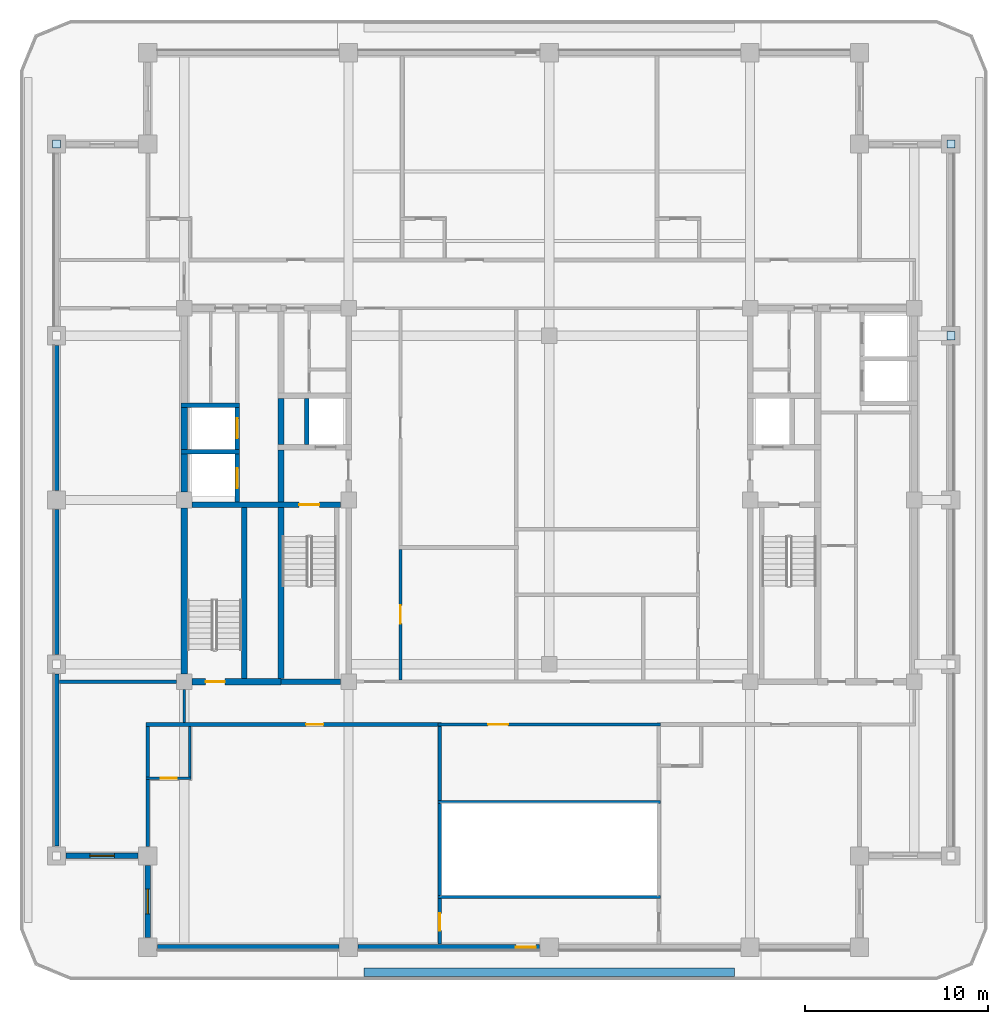
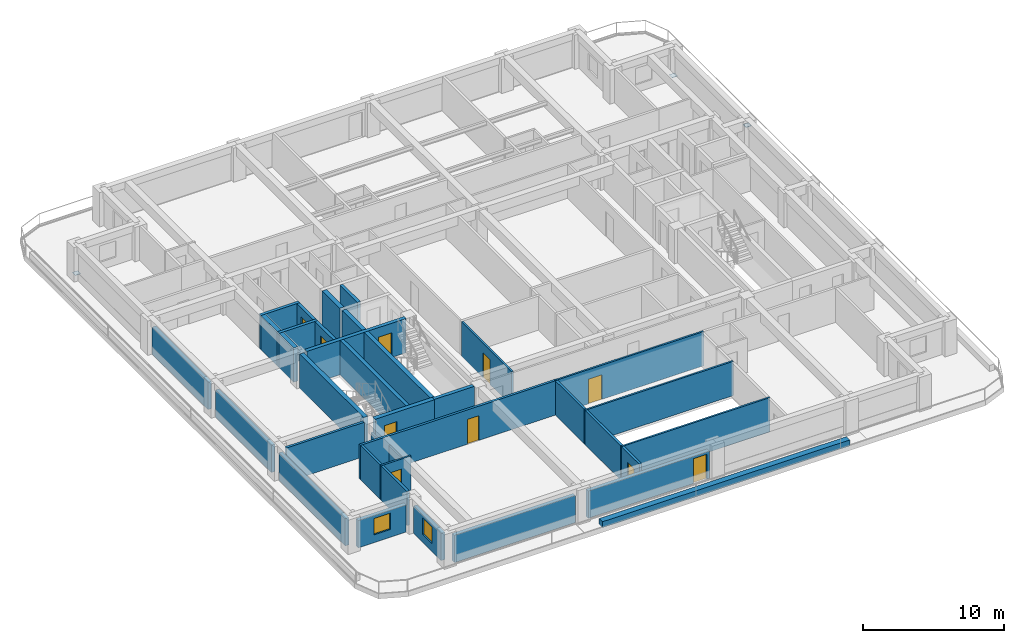
# One storey, part 2 of 13: 37 walls, 10 doors, 3 plates, 2 windows, 12 openings.
"""IFC4 building model written with IfcOpenShell, lengths in metres."""

from ifc_helpers import new_model, si_unit, direction, frame, frame_2d, origin, origin_2d, place, context, subcontext, project, spatial, rectangle, extrude, material, layer, layer_set, type_object, element, fill, save


model = new_model("IFC4")

# Units and contexts
model_context = context("Model", 3, precision=1e-05, world=origin(), true_north=direction((0.0, 1.0)))
body_context = subcontext(model_context, "Body", "Model", "MODEL_VIEW")
ifc_project = project(units=[si_unit("LENGTHUNIT", "METRE"), si_unit("AREAUNIT", "SQUARE_METRE"), si_unit("VOLUMEUNIT", "CUBIC_METRE"), si_unit("PLANEANGLEUNIT", "RADIAN"), si_unit("MASSUNIT", "GRAM", prefix="KILO")], contexts=[model_context])

# Site, building, storey
site_placement = place(None, origin())
site = spatial("IfcSite", under=ifc_project, at=site_placement, CompositionType="ELEMENT")
building_placement = place(site_placement, origin())
building = spatial("IfcBuilding", under=site, at=building_placement, Name="Zulmaris Gate Convention Tower", CompositionType="ELEMENT")
storey_placement = place(building_placement, frame((0.0, 0.0, 218.659912109375)))
storey = spatial("IfcBuildingStorey", under=building, at=storey_placement, Name="L57", CompositionType="ELEMENT", Elevation=218.659912109375)

# Plates
ifc_material_1 = material(Name="Steel S460", Category="steel")
ifc_layer_1 = layer(ifc_material_1, 0.02490234375, Name="Steel S460")
ifc_layer_set_1 = layer_set([ifc_layer_1], Name="Steel S460")
plate_type = type_object("IfcPlateType", Name="NP-CAP-440", PredefinedType="USERDEFINED", material=ifc_layer_set_1)
for number, where, z_axis, x_axis, name in (
    (1, (-27.0, 19.5, 0.28759765625), (0.0, 0.0, 1.0), (1.0, 0.0, 0.0), "L57 Steel Node Plate PBR-L57-NW-W-CAP"),
    (2, (22.0, 19.5, 0.28759765625), (0.0, 0.0, 1.0), (1.0, 0.0, 0.0), "L57 Steel Node Plate PBR-L57-NE-E-CAP"),
    (3, (22.0, 9.0, 2.3427734375), (0.0, 0.0, 1.0), (1.0, 0.0, 0.0), "L57 Steel Node Plate PBR-L57-NE-E-CAPB"),
):
    element("IfcPlate", number, at=place(storey_placement, frame(where, z_axis=z_axis, x_axis=x_axis)), inside=storey, type_object=plate_type, Name=name, ObjectType="FLANGE PLATE", PredefinedType="USERDEFINED", context=body_context, shape_type="SweptSolid", body=[
        extrude(rectangle(XDim=0.43994140625, YDim=0.43994140625, at=origin_2d()), origin(), (0.0, 0.0, 1.0), 0.02490234375),
    ])

# Walls
ifc_material_2 = material(Name="Concrete C50/60", Category="concrete")
ifc_layer_2 = layer(ifc_material_2, 0.25, Name="Concrete C50/60")
ifc_layer_set_2 = layer_set([ifc_layer_2], Name="Concrete C50/60")
wall_type_1 = type_object("IfcWallType", Name="CORE-250", PredefinedType="SOLIDWALL", material=ifc_layer_set_2)
for number, where, z_axis, x_axis, name in (
    (4, (-20.175048828125, 2.64990234375, 0.0), (0.0, 0.0, 1.0), (1.0, 0.0, 0.0), "WL-L57-007"),
    (5, (-20.175048828125, 5.199951171875, 0.0), (0.0, 0.0, 1.0), (1.0, 0.0, 0.0), "WL-L57-010"),
):
    element("IfcWall", number, at=place(storey_placement, frame(where, z_axis=z_axis, x_axis=x_axis)), inside=storey, type_object=wall_type_1, Name=name, PredefinedType="SOLIDWALL", context=body_context, shape_type="SweptSolid", body=[
        extrude(rectangle(XDim=3.199951171875, YDim=0.25, at=frame_2d((1.60009765625, 0.0))), origin(), (0.0, 0.0, 1.0), 2.97509765625),
    ])

# Wall, opening, door
wall_1_placement = place(storey_placement, frame((-17.10009765625, -0.097900390625, 0.0), z_axis=(0.0, 0.0, 1.0), x_axis=(0.0, 1.0, 0.0)))
wall_1 = element("IfcWall", 6, at=wall_1_placement, inside=storey, type_object=wall_type_1, Name="WL-L57-048", PredefinedType="SOLIDWALL", context=body_context, shape_type="SweptSolid", body=[
    extrude(rectangle(XDim=2.620849609375, YDim=0.25, at=frame_2d((1.310546875, 0.0))), origin(), (0.0, 0.0, 1.0), 2.97509765625),
])
opening_1_placement = place(wall_1_placement, frame((0.748046875, 0.0, 0.0)))
opening_1 = element("IfcOpeningElement", 7, at=opening_1_placement, cuts=wall_1, Name="Opening D-06", PredefinedType="OPENING", context=body_context, shape_type="SweptSolid", body=[
    extrude(rectangle(XDim=1.10009765625, YDim=2.199951171875, at=frame_2d((0.550048828125, 1.10009765625))), frame((0.0, 0.135009765625, 0.0), z_axis=(0.0, -1.0, 0.0), x_axis=(1.0, 0.0, 0.0)), (0.0, 0.0, 1.0), 0.27001953125),
])
ifc_material_3 = material(Name="Brushed Stainless Steel", Category="steel")
door_type_1 = type_object("IfcDoorType", Name="LD-1100", OperationType="NOTDEFINED", PredefinedType="DOOR", material=ifc_material_3)
door_1_placement = place(opening_1_placement, origin())
door_1 = element("IfcDoor", 8, at=door_1_placement, inside=storey, type_object=door_type_1, Name="L57 Lift Landing Door HP-03 14", OperationType="SLIDING_TO_LEFT", OverallHeight=2.199951171875, OverallWidth=1.10009765625, PredefinedType="DOOR", context=body_context, shape_type="SweptSolid", body=[
    extrude(rectangle(XDim=1.10009765625, YDim=2.199951171875, at=frame_2d((0.550048828125, 1.10009765625))), frame((0.0, 0.02490234375, 0.0), z_axis=(0.0, -1.0, 0.0), x_axis=(1.0, 0.0, 0.0)), (0.0, 0.0, 1.0), 0.050048828125),
])
fill(opening_1, door_1)

wall_2_placement = place(storey_placement, frame((-17.10009765625, 2.777099609375, 0.0), z_axis=(0.0, 0.0, 1.0), x_axis=(0.0, 1.0, 0.0)))
wall_2 = element("IfcWall", 9, at=wall_2_placement, inside=storey, type_object=wall_type_1, Name="WL-L57-049", PredefinedType="SOLIDWALL", context=body_context, shape_type="SweptSolid", body=[
    extrude(rectangle(XDim=2.2958984375, YDim=0.25, at=frame_2d((1.14794921875, 0.0))), origin(), (0.0, 0.0, 1.0), 2.97509765625),
])
opening_2_placement = place(wall_2_placement, frame((0.597900390625, 0.0, 0.0)))
opening_2 = element("IfcOpeningElement", 10, at=opening_2_placement, cuts=wall_2, Name="Opening D-06", PredefinedType="OPENING", context=body_context, shape_type="SweptSolid", body=[
    extrude(rectangle(XDim=1.10009765625, YDim=2.199951171875, at=frame_2d((0.550048828125, 1.10009765625))), frame((0.0, 0.135009765625, 0.0), z_axis=(0.0, -1.0, 0.0), x_axis=(1.0, 0.0, 0.0)), (0.0, 0.0, 1.0), 0.27001953125),
])
door_2_placement = place(opening_2_placement, origin())
door_2 = element("IfcDoor", 11, at=door_2_placement, inside=storey, type_object=door_type_1, Name="L57 Lift Landing Door HP-04 15", OperationType="SLIDING_TO_LEFT", OverallHeight=2.199951171875, OverallWidth=1.10009765625, PredefinedType="DOOR", context=body_context, shape_type="SweptSolid", body=[
    extrude(rectangle(XDim=1.10009765625, YDim=2.199951171875, at=frame_2d((0.550048828125, 1.10009765625))), frame((0.0, 0.02490234375, 0.0), z_axis=(0.0, -1.0, 0.0), x_axis=(1.0, 0.0, 0.0)), (0.0, 0.0, 1.0), 0.050048828125),
])
fill(opening_2, door_2)

# Walls
wall_3_placement = place(storey_placement, frame((-13.300048828125, 3.052001953125, 0.0), z_axis=(0.0, 0.0, 1.0), x_axis=(0.0, 1.0, 0.0)))
element("IfcWall", 12, at=wall_3_placement, inside=storey, type_object=wall_type_1, Name="WL-L57-055", PredefinedType="SOLIDWALL", context=body_context, shape_type="SweptSolid", body=[
    extrude(rectangle(XDim=2.49609375, YDim=0.25, at=frame_2d((1.248046875, 0.0))), origin(), (0.0, 0.0, 1.0), 2.97509765625),
])
ifc_layer_3 = layer(ifc_material_2, 0.300048828125, Name="Concrete C50/60")
ifc_layer_set_3 = layer_set([ifc_layer_3], Name="Concrete C50/60")
wall_type_2 = type_object("IfcWallType", Name="CORE-300", PredefinedType="SHEAR", material=ifc_layer_set_3)
wall_4_placement = place(storey_placement, frame((-14.699951171875, -9.949951171875, 0.0), z_axis=(0.0, 0.0, 1.0), x_axis=(1.0, 0.0, 0.0)))
element("IfcWall", 13, at=wall_4_placement, inside=storey, type_object=wall_type_2, Name="WL-L57-002", PredefinedType="SHEAR", context=body_context, shape_type="SweptSolid", body=[
    extrude(rectangle(XDim=3.27099609375, YDim=0.300048828125, at=frame_2d((1.635498046875, 0.0))), origin(), (0.0, 0.0, 1.0), 2.97509765625),
])

# Wall, opening, door
wall_5_placement = place(storey_placement, frame((-19.571044921875, -0.25, 0.0), z_axis=(0.0, 0.0, 1.0), x_axis=(1.0, 0.0, 0.0)))
wall_5 = element("IfcWall", 14, at=wall_5_placement, inside=storey, type_object=wall_type_2, Name="WL-L57-005", PredefinedType="SHEAR", context=body_context, shape_type="SweptSolid", body=[
    extrude(rectangle(XDim=8.14208984375, YDim=0.300048828125, at=frame_2d((4.071044921875, 0.0))), origin(), (0.0, 0.0, 1.0), 2.97509765625),
])
opening_3_placement = place(wall_5_placement, frame((5.87109375, 0.0, 0.0)))
opening_3 = element("IfcOpeningElement", 15, at=opening_3_placement, cuts=wall_5, Name="Opening D-08", PredefinedType="OPENING", context=body_context, shape_type="SweptSolid", body=[
    extrude(rectangle(XDim=1.10009765625, YDim=2.14990234375, at=frame_2d((0.550048828125, 1.074951171875))), frame((0.0, 0.16015625, 0.0), z_axis=(0.0, -1.0, 0.0), x_axis=(1.0, 0.0, 0.0)), (0.0, 0.0, 1.0), 0.320068359375),
])
ifc_material_4 = material(Name="Fire-Rated Steel", Category="steel")
door_type_2 = type_object("IfcDoorType", Name="DR-1100-FD", OperationType="NOTDEFINED", PredefinedType="DOOR", material=ifc_material_4)
door_3_placement = place(opening_3_placement, origin())
door_3 = element("IfcDoor", 16, at=door_3_placement, inside=storey, type_object=door_type_2, Name="L57 Exit Stair ST-1 Door 01", OperationType="SINGLE_SWING_RIGHT", OverallHeight=2.14990234375, OverallWidth=1.10009765625, PredefinedType="DOOR", context=body_context, shape_type="SweptSolid", body=[
    extrude(rectangle(XDim=1.10009765625, YDim=2.14990234375, at=frame_2d((0.550048828125, 1.074951171875))), frame((0.0, 0.02490234375, 0.0), z_axis=(0.0, -1.0, 0.0), x_axis=(1.0, 0.0, 0.0)), (0.0, 0.0, 1.0), 0.050048828125),
])
fill(opening_3, door_3)

# Wall
wall_6_placement = place(storey_placement, frame((-16.699951171875, -9.77294921875, 0.0), z_axis=(0.0, 0.0, 1.0), x_axis=(0.0, 1.0, 0.0)))
element("IfcWall", 17, at=wall_6_placement, inside=storey, type_object=wall_type_2, Name="WL-L57-050", PredefinedType="SHEAR", context=body_context, shape_type="SweptSolid", body=[
    extrude(rectangle(XDim=9.370849609375, YDim=0.300048828125, at=frame_2d((4.685546875, 0.0))), origin(), (0.0, 0.0, 1.0), 2.97509765625),
])

# Wall, opening, door
ifc_material_5 = material(Name="Concrete C55/67", Category="concrete")
ifc_layer_4 = layer(ifc_material_5, 0.35009765625, Name="Concrete C55/67")
ifc_layer_set_4 = layer_set([ifc_layer_4], Name="Concrete C55/67")
wall_type_3 = type_object("IfcWallType", Name="CORE-350", PredefinedType="SHEAR", material=ifc_layer_set_4)
wall_7_placement = place(storey_placement, frame((-19.571044921875, -9.949951171875, 0.0), z_axis=(0.0, 0.0, 1.0), x_axis=(1.0, 0.0, 0.0)))
wall_7 = element("IfcWall", 18, at=wall_7_placement, inside=storey, type_object=wall_type_3, Name="WL-L57-001", PredefinedType="SHEAR", context=body_context, shape_type="SweptSolid", body=[
    extrude(rectangle(XDim=4.87109375, YDim=0.35009765625, at=frame_2d((2.435546875, 0.0))), origin(), (0.0, 0.0, 1.0), 2.97509765625),
])
opening_4_placement = place(wall_7_placement, frame((0.74609375, 0.0, 0.0)))
opening_4 = element("IfcOpeningElement", 19, at=opening_4_placement, cuts=wall_7, Name="Opening D-09", PredefinedType="OPENING", context=body_context, shape_type="SweptSolid", body=[
    extrude(rectangle(XDim=1.050048828125, YDim=2.14990234375, at=frame_2d((0.52490234375, 1.074951171875))), frame((0.0, 0.18505859375, 0.0), z_axis=(0.0, -1.0, 0.0), x_axis=(1.0, 0.0, 0.0)), (0.0, 0.0, 1.0), 0.3701171875),
])
door_type_3 = type_object("IfcDoorType", Name="DR-1050-FD", OperationType="NOTDEFINED", PredefinedType="DOOR", material=ifc_material_4)
door_4_placement = place(opening_4_placement, origin())
door_4 = element("IfcDoor", 20, at=door_4_placement, inside=storey, type_object=door_type_3, Name="L57 Exit Stair ST-3 Door 13", OperationType="SINGLE_SWING_RIGHT", OverallHeight=2.14990234375, OverallWidth=1.050048828125, PredefinedType="DOOR", context=body_context, shape_type="SweptSolid", body=[
    extrude(rectangle(XDim=1.050048828125, YDim=2.14990234375, at=frame_2d((0.52490234375, 1.074951171875))), frame((0.0, 0.02490234375, 0.0), z_axis=(0.0, -1.0, 0.0), x_axis=(1.0, 0.0, 0.0)), (0.0, 0.0, 1.0), 0.050048828125),
])
fill(opening_4, door_4)

# Walls
wall_8_placement = place(storey_placement, frame((-20.0, -9.52099609375, 0.0), z_axis=(0.0, 0.0, 1.0), x_axis=(0.0, 1.0, 0.0)))
element("IfcWall", 21, at=wall_8_placement, inside=storey, type_object=wall_type_3, Name="WL-L57-044", PredefinedType="SHEAR", context=body_context, shape_type="SweptSolid", body=[
    extrude(rectangle(XDim=9.092041015625, YDim=0.35009765625, at=frame_2d((4.5458984375, 0.0))), origin(), (0.0, 0.0, 1.0), 2.97509765625),
])
wall_9_placement = place(storey_placement, frame((-20.0, 0.428955078125, 0.0), z_axis=(0.0, 0.0, 1.0), x_axis=(0.0, 1.0, 0.0)))
element("IfcWall", 22, at=wall_9_placement, inside=storey, type_object=wall_type_3, Name="WL-L57-045", PredefinedType="SHEAR", context=body_context, shape_type="SweptSolid", body=[
    extrude(rectangle(XDim=2.093994140625, YDim=0.35009765625, at=frame_2d((1.046875, 0.0))), origin(), (0.0, 0.0, 1.0), 2.97509765625),
])
wall_10_placement = place(storey_placement, frame((-20.0, 2.777099609375, 0.0), z_axis=(0.0, 0.0, 1.0), x_axis=(0.0, 1.0, 0.0)))
element("IfcWall", 23, at=wall_10_placement, inside=storey, type_object=wall_type_3, Name="WL-L57-046", PredefinedType="SHEAR", context=body_context, shape_type="SweptSolid", body=[
    extrude(rectangle(XDim=2.2958984375, YDim=0.35009765625, at=frame_2d((1.14794921875, 0.0))), origin(), (0.0, 0.0, 1.0), 2.97509765625),
])
wall_11_placement = place(storey_placement, frame((-14.699951171875, -9.77294921875, 0.0), z_axis=(0.0, 0.0, 1.0), x_axis=(0.0, 1.0, 0.0)))
element("IfcWall", 24, at=wall_11_placement, inside=storey, type_object=wall_type_3, Name="WL-L57-051", PredefinedType="SHEAR", context=body_context, shape_type="SweptSolid", body=[
    extrude(rectangle(XDim=9.370849609375, YDim=0.35009765625, at=frame_2d((4.685546875, 0.0))), origin(), (0.0, 0.0, 1.0), 2.97509765625),
])
wall_12_placement = place(storey_placement, frame((-14.699951171875, -0.097900390625, 0.0), z_axis=(0.0, 0.0, 1.0), x_axis=(0.0, 1.0, 0.0)))
element("IfcWall", 25, at=wall_12_placement, inside=storey, type_object=wall_type_3, Name="WL-L57-052", PredefinedType="SHEAR", context=body_context, shape_type="SweptSolid", body=[
    extrude(rectangle(XDim=2.845947265625, YDim=0.35009765625, at=frame_2d((1.4228515625, 0.0))), origin(), (0.0, 0.0, 1.0), 2.97509765625),
])
wall_13_placement = place(storey_placement, frame((-14.699951171875, 3.052001953125, 0.0), z_axis=(0.0, 0.0, 1.0), x_axis=(0.0, 1.0, 0.0)))
element("IfcWall", 26, at=wall_13_placement, inside=storey, type_object=wall_type_3, Name="WL-L57-053", PredefinedType="SHEAR", context=body_context, shape_type="SweptSolid", body=[
    extrude(rectangle(XDim=2.49609375, YDim=0.35009765625, at=frame_2d((1.248046875, 0.0))), origin(), (0.0, 0.0, 1.0), 2.97509765625),
])
ifc_material_6 = material(Name="Gypsum Metal Stud Partition")
ifc_layer_5 = layer(ifc_material_6, 0.14990234375, Name="Gypsum Metal Stud Partition")
ifc_layer_set_5 = layer_set([ifc_layer_5], Name="Gypsum Metal Stud Partition")
wall_type_4 = type_object("IfcWallType", Name="PART-150", PredefinedType="PARTITIONING", material=ifc_layer_set_5)
for number, where, z_axis, x_axis, name in (
    (27, (-6.10009765625, -21.75, 0.0), (0.0, 0.0, 1.0), (1.0, 0.0, 0.0), "WL-L57-019"),
    (28, (-6.10009765625, -16.550048828125, 0.0), (0.0, 0.0, 1.0), (1.0, 0.0, 0.0), "WL-L57-020"),
):
    element("IfcWall", number, at=place(storey_placement, frame(where, z_axis=z_axis, x_axis=x_axis)), inside=storey, type_object=wall_type_4, Name=name, PredefinedType="PARTITIONING", context=body_context, shape_type="SweptSolid", body=[
        extrude(rectangle(XDim=12.2001953125, YDim=0.14990234375, at=frame_2d((6.10009765625, 0.0))), origin(), (0.0, 0.0, 1.0), 2.97509765625),
    ])

# Wall, opening, door
wall_14_placement = place(storey_placement, frame((-22.10009765625, -15.25, 0.0), z_axis=(0.0, 0.0, 1.0), x_axis=(1.0, 0.0, 0.0)))
wall_14 = element("IfcWall", 29, at=wall_14_placement, inside=storey, type_object=wall_type_4, Name="WL-L57-021", PredefinedType="PARTITIONING", context=body_context, shape_type="SweptSolid", body=[
    extrude(rectangle(XDim=2.47509765625, YDim=0.14990234375, at=frame_2d((1.237548828125, 0.0))), origin(), (0.0, 0.0, 1.0), 2.97509765625),
])
opening_5_placement = place(wall_14_placement, frame((0.824951171875, 0.0, 0.0)))
opening_5 = element("IfcOpeningElement", 30, at=opening_5_placement, cuts=wall_14, Name="Opening D-17", PredefinedType="OPENING", context=body_context, shape_type="SweptSolid", body=[
    extrude(rectangle(XDim=0.85009765625, YDim=2.10009765625, at=frame_2d((0.425048828125, 1.050048828125))), frame((0.0, 0.0849609375, 0.0), z_axis=(0.0, -1.0, 0.0), x_axis=(1.0, 0.0, 0.0)), (0.0, 0.0, 1.0), 0.169921875),
])
ifc_material_7 = material(Name="Moisture-Resistant Hardwood Timber", Category="wood")
door_type_4 = type_object("IfcDoorType", Name="DR-850", OperationType="NOTDEFINED", PredefinedType="DOOR", material=ifc_material_7)
door_5_placement = place(opening_5_placement, origin())
door_5 = element("IfcDoor", 31, at=door_5_placement, inside=storey, type_object=door_type_4, Name="L57 En-Suite Door 39", OperationType="SINGLE_SWING_RIGHT", OverallHeight=2.10009765625, OverallWidth=0.85009765625, PredefinedType="DOOR", context=body_context, shape_type="SweptSolid", body=[
    extrude(rectangle(XDim=0.85009765625, YDim=2.10009765625, at=frame_2d((0.425048828125, 1.050048828125))), frame((0.0, 0.02490234375, 0.0), z_axis=(0.0, -1.0, 0.0), x_axis=(1.0, 0.0, 0.0)), (0.0, 0.0, 1.0), 0.050048828125),
])
fill(opening_5, door_5)

wall_15_placement = place(storey_placement, frame((-6.10009765625, -12.300048828125, 0.0), z_axis=(0.0, 0.0, 1.0), x_axis=(1.0, 0.0, 0.0)))
wall_15 = element("IfcWall", 32, at=wall_15_placement, inside=storey, type_object=wall_type_4, Name="WL-L57-024", PredefinedType="PARTITIONING", context=body_context, shape_type="SweptSolid", body=[
    extrude(rectangle(XDim=12.2001953125, YDim=0.14990234375, at=frame_2d((6.10009765625, 0.0))), origin(), (0.0, 0.0, 1.0), 2.97509765625),
])
opening_6_placement = place(wall_15_placement, frame((2.75, 0.0, 0.0)))
opening_6 = element("IfcOpeningElement", 33, at=opening_6_placement, cuts=wall_15, Name="Opening D-08", PredefinedType="OPENING", context=body_context, shape_type="SweptSolid", body=[
    extrude(rectangle(XDim=1.10009765625, YDim=2.14990234375, at=frame_2d((0.550048828125, 1.074951171875))), frame((0.0, 0.0849609375, 0.0), z_axis=(0.0, -1.0, 0.0), x_axis=(1.0, 0.0, 0.0)), (0.0, 0.0, 1.0), 0.169921875),
])
door_6_placement = place(opening_6_placement, origin())
door_6 = element("IfcDoor", 34, at=door_6_placement, inside=storey, type_object=door_type_2, Name="L57 Overlook Lounge Door 37", OperationType="SINGLE_SWING_RIGHT", OverallHeight=2.14990234375, OverallWidth=1.10009765625, PredefinedType="DOOR", context=body_context, shape_type="SweptSolid", body=[
    extrude(rectangle(XDim=1.10009765625, YDim=2.14990234375, at=frame_2d((0.550048828125, 1.074951171875))), frame((0.0, 0.02490234375, 0.0), z_axis=(0.0, -1.0, 0.0), x_axis=(1.0, 0.0, 0.0)), (0.0, 0.0, 1.0), 0.050048828125),
])
fill(opening_6, door_6)

# Walls
wall_16_placement = place(storey_placement, frame((-20.0, -12.197021484375, 0.0), z_axis=(0.0, 0.0, 1.0), x_axis=(0.0, 1.0, 0.0)))
element("IfcWall", 35, at=wall_16_placement, inside=storey, type_object=wall_type_4, Name="WL-L57-080", PredefinedType="PARTITIONING", context=body_context, shape_type="SweptSolid", body=[
    extrude(rectangle(XDim=1.81591796875, YDim=0.14990234375, at=frame_2d((0.907958984375, 0.0))), origin(), (0.0, 0.0, 1.0), 2.167236328125),
])
wall_17_placement = place(storey_placement, frame((-19.699951171875, -15.172119140625, 0.0), z_axis=(0.0, 0.0, 1.0), x_axis=(0.0, 1.0, 0.0)))
element("IfcWall", 36, at=wall_17_placement, inside=storey, type_object=wall_type_4, Name="WL-L57-082", PredefinedType="PARTITIONING", context=body_context, shape_type="SweptSolid", body=[
    extrude(rectangle(XDim=2.76904296875, YDim=0.14990234375, at=frame_2d((1.384521484375, 0.0))), origin(), (0.0, 0.0, 1.0), 2.167236328125),
])

# Wall, opening, door
wall_18_placement = place(storey_placement, frame((-8.14990234375, -9.8720703125, 0.0), z_axis=(0.0, 0.0, 1.0), x_axis=(0.0, 1.0, 0.0)))
wall_18 = element("IfcWall", 37, at=wall_18_placement, inside=storey, type_object=wall_type_4, Name="WL-L57-088", PredefinedType="PARTITIONING", context=body_context, shape_type="SweptSolid", body=[
    extrude(rectangle(XDim=7.169189453125, YDim=0.14990234375, at=frame_2d((3.58447265625, 0.0))), origin(), (0.0, 0.0, 1.0), 2.97509765625),
])
opening_7_placement = place(wall_18_placement, frame((3.10205078125, 0.0, 0.0)))
opening_7 = element("IfcOpeningElement", 38, at=opening_7_placement, cuts=wall_18, Name="Opening D-10", PredefinedType="OPENING", context=body_context, shape_type="SweptSolid", body=[
    extrude(rectangle(XDim=1.0, YDim=2.14990234375, at=frame_2d((0.5, 1.074951171875))), frame((0.0, 0.0849609375, 0.0), z_axis=(0.0, -1.0, 0.0), x_axis=(1.0, 0.0, 0.0)), (0.0, 0.0, 1.0), 0.169921875),
])
ifc_material_8 = material(Name="Fire-Rated Timber", Category="wood")
door_type_5 = type_object("IfcDoorType", Name="DR-1000-FD", OperationType="NOTDEFINED", PredefinedType="DOOR", material=ifc_material_8)
door_7_placement = place(opening_7_placement, origin())
door_7 = element("IfcDoor", 39, at=door_7_placement, inside=storey, type_object=door_type_5, Name="L57 Guest Study Door 43", OperationType="SINGLE_SWING_RIGHT", OverallHeight=2.14990234375, OverallWidth=1.0, PredefinedType="DOOR", context=body_context, shape_type="SweptSolid", body=[
    extrude(rectangle(XDim=1.0, YDim=2.14990234375, at=frame_2d((0.5, 1.074951171875))), frame((0.0, 0.02490234375, 0.0), z_axis=(0.0, -1.0, 0.0), x_axis=(1.0, 0.0, 0.0)), (0.0, 0.0, 1.0), 0.050048828125),
])
fill(opening_7, door_7)

ifc_material_9 = material(Name="Autoclaved Aerated Concrete Block and Plasterboard", Category="concrete")
ifc_layer_6 = layer(ifc_material_9, 0.199951171875, Name="Autoclaved Aerated Concrete Block and Plasterboard")
ifc_layer_set_6 = layer_set([ifc_layer_6], Name="Autoclaved Aerated Concrete Block and Plasterboard")
wall_type_5 = type_object("IfcWallType", Name="PART-200", PredefinedType="PARTITIONING", material=ifc_layer_set_6)
wall_19_placement = place(storey_placement, frame((-22.10009765625, -12.300048828125, 0.0), z_axis=(0.0, 0.0, 1.0), x_axis=(1.0, 0.0, 0.0)))
wall_19 = element("IfcWall", 40, at=wall_19_placement, inside=storey, type_object=wall_type_5, Name="WL-L57-023", PredefinedType="PARTITIONING", context=body_context, shape_type="SweptSolid", body=[
    extrude(rectangle(XDim=16.2001953125, YDim=0.199951171875, at=frame_2d((8.10009765625, 0.0))), origin(), (0.0, 0.0, 1.0), 2.97509765625),
])
opening_8_placement = place(wall_19_placement, frame((8.77490234375, 0.0, 0.0)))
opening_8 = element("IfcOpeningElement", 41, at=opening_8_placement, cuts=wall_19, Name="Opening D-11", PredefinedType="OPENING", context=body_context, shape_type="SweptSolid", body=[
    extrude(rectangle(XDim=0.949951171875, YDim=2.14990234375, at=frame_2d((0.47509765625, 1.074951171875))), frame((0.0, 0.10986328125, 0.0), z_axis=(0.0, -1.0, 0.0), x_axis=(1.0, 0.0, 0.0)), (0.0, 0.0, 1.0), 0.219970703125),
])
door_type_6 = type_object("IfcDoorType", Name="DR-950-FD", OperationType="NOTDEFINED", PredefinedType="DOOR", material=ifc_material_8)
door_8_placement = place(opening_8_placement, origin())
door_8 = element("IfcDoor", 42, at=door_8_placement, inside=storey, type_object=door_type_6, Name="L57 Hotel Executive Suite Door 38", OperationType="SINGLE_SWING_LEFT", OverallHeight=2.14990234375, OverallWidth=0.949951171875, PredefinedType="DOOR", context=body_context, shape_type="SweptSolid", body=[
    extrude(rectangle(XDim=0.949951171875, YDim=2.14990234375, at=frame_2d((0.47509765625, 1.074951171875))), frame((0.0, 0.02490234375, 0.0), z_axis=(0.0, -1.0, 0.0), x_axis=(1.0, 0.0, 0.0)), (0.0, 0.0, 1.0), 0.050048828125),
])
fill(opening_8, door_8)

# Walls
wall_20_placement = place(storey_placement, frame((-26.8349609375, -9.949951171875, 0.0), z_axis=(0.0, 0.0, 1.0), x_axis=(1.0, 0.0, 0.0)))
element("IfcWall", 43, at=wall_20_placement, inside=storey, type_object=wall_type_5, Name="WL-L57-027", PredefinedType="PARTITIONING", context=body_context, shape_type="SweptSolid", body=[
    extrude(rectangle(XDim=6.404052734375, YDim=0.199951171875, at=frame_2d((3.2021484375, 0.0))), origin(), (0.0, 0.0, 1.0), 2.97509765625),
])
wall_21_placement = place(storey_placement, frame((-22.0, -18.993896484375, 0.0), z_axis=(0.0, 0.0, 1.0), x_axis=(0.0, 1.0, 0.0)))
element("IfcWall", 44, at=wall_21_placement, inside=storey, type_object=wall_type_5, Name="WL-L57-076", PredefinedType="PARTITIONING", context=body_context, shape_type="SweptSolid", body=[
    extrude(rectangle(XDim=3.666015625, YDim=0.199951171875, at=frame_2d((1.8330078125, 0.0))), origin(), (0.0, 0.0, 1.0), 2.97509765625),
])
wall_22_placement = place(storey_placement, frame((-22.0, -15.172119140625, 0.0), z_axis=(0.0, 0.0, 1.0), x_axis=(0.0, 1.0, 0.0)))
element("IfcWall", 45, at=wall_22_placement, inside=storey, type_object=wall_type_5, Name="WL-L57-077", PredefinedType="PARTITIONING", context=body_context, shape_type="SweptSolid", body=[
    extrude(rectangle(XDim=2.76904296875, YDim=0.199951171875, at=frame_2d((1.384521484375, 0.0))), origin(), (0.0, 0.0, 1.0), 2.97509765625),
])

# Wall, opening, door
wall_23_placement = place(storey_placement, frame((-6.0, -24.3349609375, 0.0), z_axis=(0.0, 0.0, 1.0), x_axis=(0.0, 1.0, 0.0)))
wall_23 = element("IfcWall", 46, at=wall_23_placement, inside=storey, type_object=wall_type_5, Name="WL-L57-092", PredefinedType="PARTITIONING", context=body_context, shape_type="SweptSolid", body=[
    extrude(rectangle(XDim=2.507080078125, YDim=0.199951171875, at=frame_2d((1.25341796875, 0.0))), origin(), (0.0, 0.0, 1.0), 2.97509765625),
])
opening_9_placement = place(wall_23_placement, frame((0.739990234375, 0.0, 0.0)))
opening_9 = element("IfcOpeningElement", 47, at=opening_9_placement, cuts=wall_23, Name="Opening D-11", PredefinedType="OPENING", context=body_context, shape_type="SweptSolid", body=[
    extrude(rectangle(XDim=0.949951171875, YDim=2.14990234375, at=frame_2d((0.47509765625, 1.074951171875))), frame((0.0, 0.10986328125, 0.0), z_axis=(0.0, -1.0, 0.0), x_axis=(1.0, 0.0, 0.0)), (0.0, 0.0, 1.0), 0.219970703125),
])
door_9_placement = place(opening_9_placement, origin())
door_9 = element("IfcDoor", 48, at=door_9_placement, inside=storey, type_object=door_type_6, Name="L57 Terrace Loggia West Door 35", OperationType="SINGLE_SWING_RIGHT", OverallHeight=2.14990234375, OverallWidth=0.949951171875, PredefinedType="DOOR", context=body_context, shape_type="SweptSolid", body=[
    extrude(rectangle(XDim=0.949951171875, YDim=2.14990234375, at=frame_2d((0.47509765625, 1.074951171875))), frame((0.0, 0.02490234375, 0.0), z_axis=(0.0, -1.0, 0.0), x_axis=(1.0, 0.0, 0.0)), (0.0, 0.0, 1.0), 0.050048828125),
])
fill(opening_9, door_9)

# Walls
wall_24_placement = place(storey_placement, frame((-6.0, -21.672119140625, 0.0), z_axis=(0.0, 0.0, 1.0), x_axis=(0.0, 1.0, 0.0)))
element("IfcWall", 49, at=wall_24_placement, inside=storey, type_object=wall_type_5, Name="WL-L57-093", PredefinedType="PARTITIONING", context=body_context, shape_type="SweptSolid", body=[
    extrude(rectangle(XDim=5.044189453125, YDim=0.199951171875, at=frame_2d((2.52197265625, 0.0))), origin(), (0.0, 0.0, 1.0), 2.97509765625),
])
wall_25_placement = place(storey_placement, frame((-6.0, -16.471923828125, 0.0), z_axis=(0.0, 0.0, 1.0), x_axis=(0.0, 1.0, 0.0)))
element("IfcWall", 50, at=wall_25_placement, inside=storey, type_object=wall_type_5, Name="WL-L57-094", PredefinedType="PARTITIONING", context=body_context, shape_type="SweptSolid", body=[
    extrude(rectangle(XDim=4.06884765625, YDim=0.199951171875, at=frame_2d((2.034423828125, 0.0))), origin(), (0.0, 0.0, 1.0), 2.97509765625),
])
ifc_material_10 = material(Name="Botanical Green Glazed Precast Concrete C40/50", Category="concrete")
ifc_layer_7 = layer(ifc_material_10, 0.419921875, Name="Botanical Green Glazed Precast Concrete C40/50")
ifc_layer_set_7 = layer_set([ifc_layer_7], Name="Botanical Green Glazed Precast Concrete C40/50")
wall_type_6 = type_object("IfcWallType", Name="PLANTER-CURB-200", PredefinedType="PARAPET", material=ifc_layer_set_7)
wall_26_placement = place(storey_placement, frame((-10.14990234375, -25.8798828125, -0.0400390625), z_axis=(0.0, 0.0, 1.0), x_axis=(1.0, 0.0, 0.0)))
element("IfcWall", 51, at=wall_26_placement, inside=storey, type_object=wall_type_6, Name="L57 Full-Length Balcony Tree Planter Trough", PredefinedType="PARAPET", context=body_context, shape_type="SweptSolid", body=[
    extrude(rectangle(XDim=20.2998046875, YDim=0.47998046875, at=frame_2d((10.14990234375, 0.0))), origin(), (0.0, 0.0, 1.0), 0.52001953125),
])

# Wall, opening, window
ifc_material_11 = material(Name="Precast concrete C40/50", Category="concrete")
ifc_layer_8 = layer(ifc_material_11, 0.300048828125, Name="Precast concrete C40/50")
ifc_layer_set_8 = layer_set([ifc_layer_8], Name="Precast concrete C40/50")
wall_type_7 = type_object("IfcWallType", Name="PRECAST-PIER-300", PredefinedType="STANDARD", material=ifc_layer_set_8)
wall_27_placement = place(storey_placement, frame((-26.469970703125, -19.5, 0.0), z_axis=(0.0, 0.0, 1.0), x_axis=(1.0, 0.0, 0.0)))
wall_27 = element("IfcWall", 52, at=wall_27_placement, inside=storey, type_object=wall_type_7, Name="EW-L57-NOTCH-SW1_0", PredefinedType="STANDARD", context=body_context, shape_type="SweptSolid", body=[
    extrude(rectangle(XDim=3.93994140625, YDim=0.300048828125, at=frame_2d((1.969970703125, 0.0))), origin(), (0.0, 0.0, 1.0), 2.3671875),
])
opening_10_placement = place(wall_27_placement, frame((1.294921875, 0.0, 0.679931640625)))
opening_10 = element("IfcOpeningElement", 53, at=opening_10_placement, cuts=wall_27, Name="Opening W-10", PredefinedType="OPENING", context=body_context, shape_type="SweptSolid", body=[
    extrude(rectangle(XDim=1.35009765625, YDim=1.419921875, at=frame_2d((0.675048828125, 0.7099609375))), frame((0.0, 0.16015625, 0.0), z_axis=(0.0, -1.0, 0.0), x_axis=(1.0, 0.0, 0.0)), (0.0, 0.0, 1.0), 0.320068359375),
])
ifc_material_12 = material(Name="Low-E Laminated Double Glazing in Aluminium Frame", Category="aluminium")
window_type = type_object("IfcWindowType", Name="WIN-1350x2000", PartitioningType="SINGLE_PANEL", PredefinedType="WINDOW", material=ifc_material_12)
window_1_placement = place(opening_10_placement, origin())
window_1 = element("IfcWindow", 54, at=window_1_placement, inside=storey, type_object=window_type, Name="WN-EW-L57-NOTCH-SW1_0", OverallHeight=1.419921875, OverallWidth=1.35009765625, PartitioningType="SINGLE_PANEL", PredefinedType="WINDOW", context=body_context, shape_type="SweptSolid", body=[
    extrude(rectangle(XDim=1.35009765625, YDim=1.419921875, at=frame_2d((0.675048828125, 0.7099609375))), frame((0.0, 0.030029296875, 0.0), z_axis=(0.0, -1.0, 0.0), x_axis=(1.0, 0.0, 0.0)), (0.0, 0.0, 1.0), 0.06005859375),
])
fill(opening_10, window_1)

wall_28_placement = place(storey_placement, frame((-22.0, -20.030029296875, 0.0), z_axis=(0.0, 0.0, 1.0), x_axis=(0.0, -1.0, 0.0)))
wall_28 = element("IfcWall", 55, at=wall_28_placement, inside=storey, type_object=wall_type_7, Name="EW-L57-NOTCH-SW2_0", PredefinedType="STANDARD", context=body_context, shape_type="SweptSolid", body=[
    extrude(rectangle(XDim=3.93994140625, YDim=0.300048828125, at=frame_2d((1.969970703125, 0.0))), origin(), (0.0, 0.0, 1.0), 2.3671875),
])
opening_11_placement = place(wall_28_placement, frame((1.294921875, 0.0, 0.679931640625)))
opening_11 = element("IfcOpeningElement", 56, at=opening_11_placement, cuts=wall_28, Name="Opening W-10", PredefinedType="OPENING", context=body_context, shape_type="SweptSolid", body=[
    extrude(rectangle(XDim=1.35009765625, YDim=1.419921875, at=frame_2d((0.675048828125, 0.7099609375))), frame((0.0, 0.16015625, 0.0), z_axis=(0.0, -1.0, 0.0), x_axis=(1.0, 0.0, 0.0)), (0.0, 0.0, 1.0), 0.320068359375),
])
window_2_placement = place(opening_11_placement, origin())
window_2 = element("IfcWindow", 57, at=window_2_placement, inside=storey, type_object=window_type, Name="WN-EW-L57-NOTCH-SW2_0", OverallHeight=1.419921875, OverallWidth=1.35009765625, PartitioningType="SINGLE_PANEL", PredefinedType="WINDOW", context=body_context, shape_type="SweptSolid", body=[
    extrude(rectangle(XDim=1.35009765625, YDim=1.419921875, at=frame_2d((0.675048828125, 0.7099609375))), frame((0.0, 0.030029296875, 0.0), z_axis=(0.0, -1.0, 0.0), x_axis=(1.0, 0.0, 0.0)), (0.0, 0.0, 1.0), 0.06005859375),
])
fill(opening_11, window_2)

# Wall
wall_29_placement = place(storey_placement, frame((-21.469970703125, -24.5, 0.0), z_axis=(0.0, 0.0, 1.0), x_axis=(1.0, 0.0, 0.0)))
element("IfcWall", 58, at=wall_29_placement, inside=storey, type_object=wall_type_7, Name="EW-L57-S-0_0", PredefinedType="STANDARD", context=body_context, shape_type="SweptSolid", body=[
    extrude(rectangle(XDim=9.93994140625, YDim=0.300048828125, at=frame_2d((4.969970703125, 0.0))), origin(), (0.0, 0.0, 1.0), 2.3671875),
])

# Wall, opening, door
wall_30_placement = place(storey_placement, frame((-10.469970703125, -24.5, 0.0), z_axis=(0.0, 0.0, 1.0), x_axis=(1.0, 0.0, 0.0)))
wall_30 = element("IfcWall", 59, at=wall_30_placement, inside=storey, type_object=wall_type_7, Name="EW-L57-S-1_0", PredefinedType="STANDARD", context=body_context, shape_type="SweptSolid", body=[
    extrude(rectangle(XDim=9.93994140625, YDim=0.300048828125, at=frame_2d((4.969970703125, 0.0))), origin(), (0.0, 0.0, 1.0), 2.3671875),
])
opening_12_placement = place(wall_30_placement, frame((8.639892578125, 0.0, 0.0)))
opening_12 = element("IfcOpeningElement", 60, at=opening_12_placement, cuts=wall_30, Name="Opening D-04", PredefinedType="OPENING", context=body_context, shape_type="SweptSolid", body=[
    extrude(rectangle(XDim=1.10009765625, YDim=2.14990234375, at=frame_2d((0.550048828125, 1.074951171875))), frame((0.0, 0.16015625, 0.0), z_axis=(0.0, -1.0, 0.0), x_axis=(1.0, 0.0, 0.0)), (0.0, 0.0, 1.0), 0.320068359375),
])
ifc_material_13 = material(Name="Anodised Aluminium and Laminated Glass", Category="aluminium")
door_type_7 = type_object("IfcDoorType", Name="ED-1100", OperationType="SINGLE_SWING_RIGHT", PredefinedType="DOOR", material=ifc_material_13)
door_10_placement = place(opening_12_placement, origin())
door_10 = element("IfcDoor", 61, at=door_10_placement, inside=storey, type_object=door_type_7, Name="L57 S Planted Terrace Door", OperationType="SINGLE_SWING_RIGHT", OverallHeight=2.14990234375, OverallWidth=1.10009765625, PredefinedType="DOOR", context=body_context, shape_type="SweptSolid", body=[
    extrude(rectangle(XDim=1.10009765625, YDim=2.14990234375, at=frame_2d((0.550048828125, 1.074951171875))), frame((0.0, 0.02490234375, 0.0), z_axis=(0.0, -1.0, 0.0), x_axis=(1.0, 0.0, 0.0)), (0.0, 0.0, 1.0), 0.050048828125),
])
fill(opening_12, door_10)

# Walls
wall_31_placement = place(storey_placement, frame((-27.0, -9.530029296875, 0.0), z_axis=(0.0, 0.0, 1.0), x_axis=(0.0, -1.0, 0.0)))
element("IfcWall", 62, at=wall_31_placement, inside=storey, type_object=wall_type_7, Name="EW-L57-W-0_0", PredefinedType="STANDARD", context=body_context, shape_type="SweptSolid", body=[
    extrude(rectangle(XDim=9.43994140625, YDim=0.300048828125, at=frame_2d((4.719970703125, 0.0))), origin(), (0.0, 0.0, 1.0), 2.3671875),
])
for number, where, z_axis, x_axis, name in (
    (63, (-27.0, -0.530029296875, 0.0), (0.0, 0.0, 1.0), (0.0, -1.0, 0.0), "EW-L57-W-1_0"),
    (64, (-27.0, 8.469970703125, 0.0), (0.0, 0.0, 1.0), (0.0, -1.0, 0.0), "EW-L57-W-2_0"),
):
    element("IfcWall", number, at=place(storey_placement, frame(where, z_axis=z_axis, x_axis=x_axis)), inside=storey, type_object=wall_type_7, Name=name, PredefinedType="STANDARD", context=body_context, shape_type="SweptSolid", body=[
        extrude(rectangle(XDim=7.93994140625, YDim=0.300048828125, at=frame_2d((3.969970703125, 0.0))), origin(), (0.0, 0.0, 1.0), 2.3671875),
    ])

save(model, "model.ifc")
